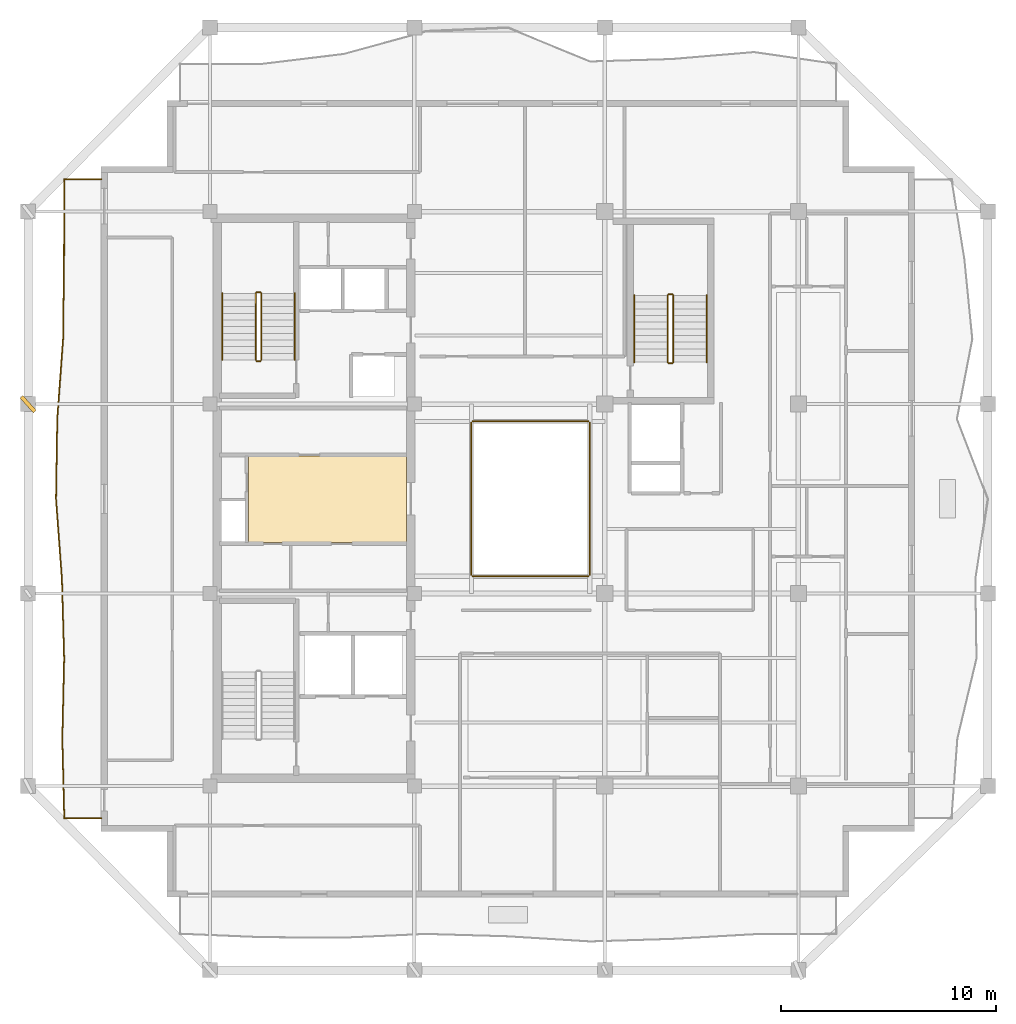
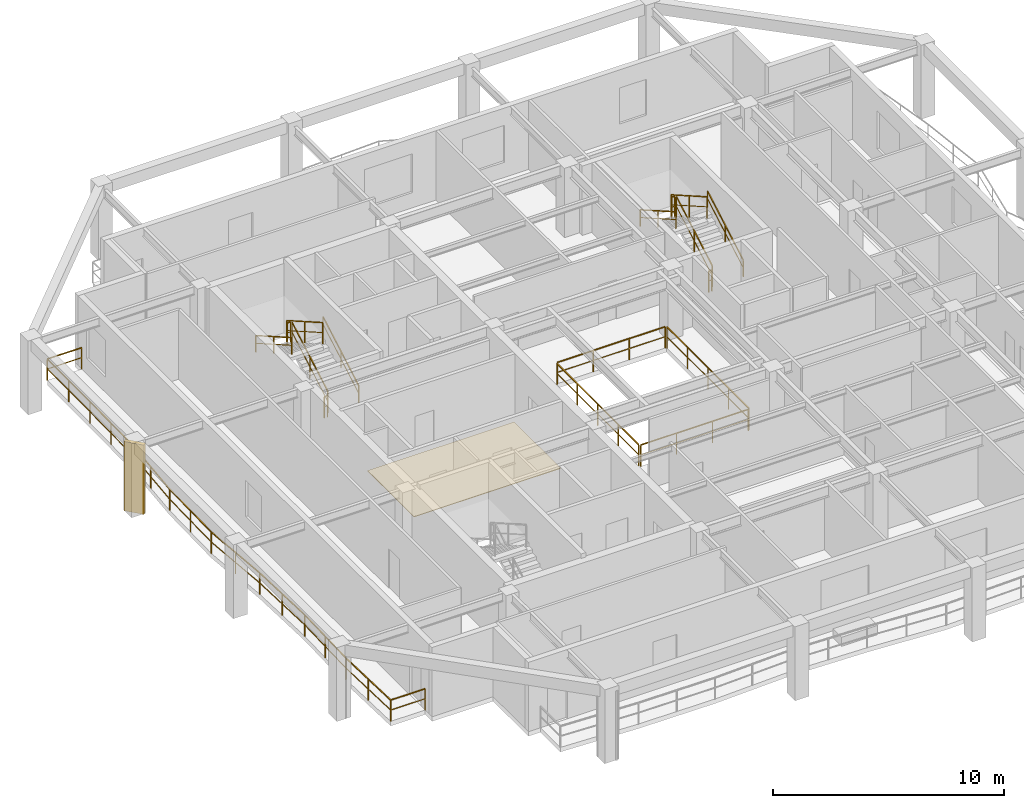
# One storey, part 8 of 10: 17 railings, 1 covering, 1 shading device.
"""IFC4 building model written with IfcOpenShell, lengths in metres."""

from ifc_helpers import new_model, si_unit, direction, frame, origin, origin_2d, place, context, subcontext, project, spatial, polyline, rectangle, outline, extrude, material, layer, layer_set, type_object, element, save


model = new_model("IFC4")

# Units and contexts
model_context = context("Model", 3, precision=1e-05, world=origin(), true_north=direction((0.0, 1.0)))
body_context = subcontext(model_context, "Body", "Model", "MODEL_VIEW")
ifc_project = project(units=[si_unit("LENGTHUNIT", "METRE"), si_unit("AREAUNIT", "SQUARE_METRE"), si_unit("VOLUMEUNIT", "CUBIC_METRE"), si_unit("PLANEANGLEUNIT", "RADIAN"), si_unit("MASSUNIT", "GRAM", prefix="KILO")], contexts=[model_context])

# Site, building, storey
site_placement = place(None, origin())
site = spatial("IfcSite", under=ifc_project, at=site_placement, CompositionType="ELEMENT")
building_placement = place(site_placement, origin())
building = spatial("IfcBuilding", under=site, at=building_placement, Name="Kundavana Baori Tower", CompositionType="ELEMENT")
storey_placement = place(building_placement, frame((0.0, 0.0, 299.89990234375)))
storey = spatial("IfcBuildingStorey", under=building, at=storey_placement, Name="L74", CompositionType="ELEMENT", Elevation=299.89990234375)

# Covering
ifc_material_1 = material(Name="Honed Kota Stone and Terrazzo Flooring", Category="masonry")
ifc_layer = layer(ifc_material_1, 0.030029296875, Name="COV-INT-FLR")
ifc_layer_set = layer_set([ifc_layer], Name="Honed Kota Stone and Terrazzo Flooring")
covering_type = type_object("IfcCoveringType", Name="COV-INT-FLR", PredefinedType="FLOORING", material=ifc_layer_set)
covering_placement = place(storey_placement, origin())
element("IfcCovering", 1, at=covering_placement, inside=storey, type_object=covering_type, Name="L74 Core Lift Lobby Kota Stone Flooring", PredefinedType="FLOORING", context=body_context, shape_type="SweptSolid", body=[
    extrude(outline(polyline([(17.25, 26.580078125), (24.580078125, 26.580078125), (24.580078125, 30.60009765625), (17.25, 30.60009765625), (17.25, 26.580078125)])), origin(), (0.0, 0.0, 1.0), 0.030029296875),
])

# Railings
ifc_material_2 = material(Name="Architectural Patinated Bronze Metalwork")
railing_type_1 = type_object("IfcRailingType", Name="RL-BAL-1150", PredefinedType="BALUSTRADE", material=ifc_material_2)
railing_1_placement = place(storey_placement, frame((10.39990234375, 13.75, 0.0)))
element("IfcRailing", 2, at=railing_1_placement, inside=storey, type_object=railing_type_1, Name="L74 Loggia Balcony Balustrade W", PredefinedType="BALUSTRADE", context=body_context, shape_type="SweptSolid", body=[
    extrude(rectangle(XDim=0.048095703125, YDim=0.048095703125, at=origin_2d()), frame((0.0, 0.0, 1.1259765625), z_axis=(-1.0, 0.0, 0.0), x_axis=(0.0, -1.0, 0.0)), (0.0, 0.0, 1.0), 1.719970703125),
    extrude(rectangle(XDim=0.03125, YDim=0.03125, at=origin_2d()), frame((0.0, 0.0, 0.597900390625), z_axis=(-1.0, 0.0, 0.0), x_axis=(0.0, -1.0, 0.0)), (0.0, 0.0, 1.0), 1.719970703125),
    extrude(rectangle(XDim=0.048095703125, YDim=0.048095703125, at=origin_2d()), frame((-1.719970703125, 0.0, 1.1259765625), z_axis=(-0.024788486897, 0.999692718248, 0.0), x_axis=(-0.999692718248, -0.024788486897, 0.0)), (0.0, 0.0, 1.0), 3.713134765625),
    extrude(rectangle(XDim=0.03125, YDim=0.03125, at=origin_2d()), frame((-1.719970703125, 0.0, 0.597900390625), z_axis=(-0.024788486897, 0.999692718248, 0.0), x_axis=(-0.999692718248, -0.024788486897, 0.0)), (0.0, 0.0, 1.0), 3.713134765625),
    extrude(rectangle(XDim=0.048095703125, YDim=0.048095703125, at=origin_2d()), frame((-1.81201171875, 3.7119140625, 1.1259765625), z_axis=(0.023203692393, 0.999730758084, 0.0), x_axis=(-0.999730758084, 0.023203692393, 0.0)), (0.0, 0.0, 1.0), 3.714111328125),
    extrude(rectangle(XDim=0.03125, YDim=0.03125, at=origin_2d()), frame((-1.81201171875, 3.7119140625, 0.597900390625), z_axis=(0.023203692393, 0.999730758084, 0.0), x_axis=(-0.999730758084, 0.023203692393, 0.0)), (0.0, 0.0, 1.0), 3.714111328125),
    extrude(rectangle(XDim=0.048095703125, YDim=0.048095703125, at=origin_2d()), frame((-1.725830078125, 7.425048828125, 1.1259765625), z_axis=(-0.028000589704, 0.99960790662, 0.0), x_axis=(-0.99960790662, -0.028000589704, 0.0)), (0.0, 0.0, 1.0), 3.71435546875),
    extrude(rectangle(XDim=0.03125, YDim=0.03125, at=origin_2d()), frame((-1.725830078125, 7.425048828125, 0.597900390625), z_axis=(-0.028000589704, 0.99960790662, 0.0), x_axis=(-0.99960790662, -0.028000589704, 0.0)), (0.0, 0.0, 1.0), 3.71435546875),
    extrude(rectangle(XDim=0.048095703125, YDim=0.048095703125, at=origin_2d()), frame((-1.829833984375, 11.137939453125, 1.1259765625), z_axis=(-0.073656662205, 0.997283658802, 0.0), x_axis=(-0.997283658802, -0.073656662205, 0.0)), (0.0, 0.0, 1.0), 3.72216796875),
    extrude(rectangle(XDim=0.03125, YDim=0.03125, at=origin_2d()), frame((-1.829833984375, 11.137939453125, 0.597900390625), z_axis=(-0.073656662205, 0.997283658802, 0.0), x_axis=(-0.997283658802, -0.073656662205, 0.0)), (0.0, 0.0, 1.0), 3.72216796875),
    extrude(rectangle(XDim=0.048095703125, YDim=0.048095703125, at=origin_2d()), frame((-2.10400390625, 14.85009765625, 1.1259765625), z_axis=(0.015914848125, 0.999873350785, 0.0), x_axis=(-0.999873350785, 0.015914848125, 0.0)), (0.0, 0.0, 1.0), 3.71240234375),
    extrude(rectangle(XDim=0.03125, YDim=0.03125, at=origin_2d()), frame((-2.10400390625, 14.85009765625, 0.597900390625), z_axis=(0.015914848125, 0.999873350785, 0.0), x_axis=(-0.999873350785, 0.015914848125, 0.0)), (0.0, 0.0, 1.0), 3.71240234375),
    extrude(rectangle(XDim=0.048095703125, YDim=0.048095703125, at=origin_2d()), frame((-2.044921875, 18.56201171875, 1.1259765625), z_axis=(0.072533323538, 0.997365989483, 0.0), x_axis=(-0.997365989483, 0.072533323538, 0.0)), (0.0, 0.0, 1.0), 3.72265625),
    extrude(rectangle(XDim=0.03125, YDim=0.03125, at=origin_2d()), frame((-2.044921875, 18.56201171875, 0.597900390625), z_axis=(0.072533323538, 0.997365989483, 0.0), x_axis=(-0.997365989483, 0.072533323538, 0.0)), (0.0, 0.0, 1.0), 3.72265625),
    extrude(rectangle(XDim=0.048095703125, YDim=0.048095703125, at=origin_2d()), frame((-1.77490234375, 22.27490234375, 1.1259765625), z_axis=(0.011834268858, 0.999929972588, 0.0), x_axis=(-0.999929972588, 0.011834268858, 0.0)), (0.0, 0.0, 1.0), 3.71337890625),
    extrude(rectangle(XDim=0.03125, YDim=0.03125, at=origin_2d()), frame((-1.77490234375, 22.27490234375, 0.597900390625), z_axis=(0.011834268858, 0.999929972588, 0.0), x_axis=(-0.999929972588, 0.011834268858, 0.0)), (0.0, 0.0, 1.0), 3.71337890625),
    extrude(rectangle(XDim=0.048095703125, YDim=0.048095703125, at=origin_2d()), frame((-1.73095703125, 25.988037109375, 1.1259765625), z_axis=(0.002959734471, 0.999995619976, 0.0), x_axis=(-0.999995619976, 0.002959734471, 0.0)), (0.0, 0.0, 1.0), 3.7119140625),
    extrude(rectangle(XDim=0.03125, YDim=0.03125, at=origin_2d()), frame((-1.73095703125, 25.988037109375, 0.597900390625), z_axis=(0.002959734471, 0.999995619976, 0.0), x_axis=(-0.999995619976, 0.002959734471, 0.0)), (0.0, 0.0, 1.0), 3.7119140625),
    extrude(rectangle(XDim=0.048095703125, YDim=0.048095703125, at=origin_2d()), frame((-1.719970703125, 29.699951171875, 1.1259765625), z_axis=(1.0, 0.0, 0.0), x_axis=(0.0, 1.0, 0.0)), (0.0, 0.0, 1.0), 1.719970703125),
    extrude(rectangle(XDim=0.03125, YDim=0.03125, at=origin_2d()), frame((-1.719970703125, 29.699951171875, 0.597900390625), z_axis=(1.0, 0.0, 0.0), x_axis=(0.0, 1.0, 0.0)), (0.0, 0.0, 1.0), 1.719970703125),
    extrude(rectangle(XDim=0.0419921875, YDim=0.0419921875, at=origin_2d()), origin(), (0.0, 0.0, 1.0), 1.101806640625),
    extrude(rectangle(XDim=0.0419921875, YDim=0.0419921875, at=origin_2d()), frame((-1.719970703125, 0.0, 0.0)), (0.0, 0.0, 1.0), 1.101806640625),
    extrude(rectangle(XDim=0.0419921875, YDim=0.0419921875, at=origin_2d()), frame((-1.76611328125, 1.85595703125, 0.0)), (0.0, 0.0, 1.0), 1.101806640625),
    extrude(rectangle(XDim=0.0419921875, YDim=0.0419921875, at=origin_2d()), frame((-1.81201171875, 3.7119140625, 0.0)), (0.0, 0.0, 1.0), 1.101806640625),
    extrude(rectangle(XDim=0.0419921875, YDim=0.0419921875, at=origin_2d()), frame((-1.76904296875, 5.568359375, 0.0)), (0.0, 0.0, 1.0), 1.101806640625),
    extrude(rectangle(XDim=0.0419921875, YDim=0.0419921875, at=origin_2d()), frame((-1.725830078125, 7.425048828125, 0.0)), (0.0, 0.0, 1.0), 1.101806640625),
    extrude(rectangle(XDim=0.0419921875, YDim=0.0419921875, at=origin_2d()), frame((-1.77783203125, 9.281494140625, 0.0)), (0.0, 0.0, 1.0), 1.101806640625),
    extrude(rectangle(XDim=0.0419921875, YDim=0.0419921875, at=origin_2d()), frame((-1.829833984375, 11.137939453125, 0.0)), (0.0, 0.0, 1.0), 1.101806640625),
    extrude(rectangle(XDim=0.0419921875, YDim=0.0419921875, at=origin_2d()), frame((-1.966796875, 12.994140625, 0.0)), (0.0, 0.0, 1.0), 1.101806640625),
    extrude(rectangle(XDim=0.0419921875, YDim=0.0419921875, at=origin_2d()), frame((-2.10400390625, 14.85009765625, 0.0)), (0.0, 0.0, 1.0), 1.101806640625),
    extrude(rectangle(XDim=0.0419921875, YDim=0.0419921875, at=origin_2d()), frame((-2.074462890625, 16.7060546875, 0.0)), (0.0, 0.0, 1.0), 1.101806640625),
    extrude(rectangle(XDim=0.0419921875, YDim=0.0419921875, at=origin_2d()), frame((-2.044921875, 18.56201171875, 0.0)), (0.0, 0.0, 1.0), 1.101806640625),
    extrude(rectangle(XDim=0.0419921875, YDim=0.0419921875, at=origin_2d()), frame((-1.909912109375, 20.41845703125, 0.0)), (0.0, 0.0, 1.0), 1.101806640625),
    extrude(rectangle(XDim=0.0419921875, YDim=0.0419921875, at=origin_2d()), frame((-1.77490234375, 22.27490234375, 0.0)), (0.0, 0.0, 1.0), 1.101806640625),
    extrude(rectangle(XDim=0.0419921875, YDim=0.0419921875, at=origin_2d()), frame((-1.7529296875, 24.13134765625, 0.0)), (0.0, 0.0, 1.0), 1.101806640625),
    extrude(rectangle(XDim=0.0419921875, YDim=0.0419921875, at=origin_2d()), frame((-1.73095703125, 25.988037109375, 0.0)), (0.0, 0.0, 1.0), 1.101806640625),
    extrude(rectangle(XDim=0.0419921875, YDim=0.0419921875, at=origin_2d()), frame((-1.7255859375, 27.843994140625, 0.0)), (0.0, 0.0, 1.0), 1.101806640625),
    extrude(rectangle(XDim=0.0419921875, YDim=0.0419921875, at=origin_2d()), frame((-1.719970703125, 29.699951171875, 0.0)), (0.0, 0.0, 1.0), 1.101806640625),
    extrude(rectangle(XDim=0.0419921875, YDim=0.0419921875, at=origin_2d()), frame((0.0, 29.699951171875, 0.0)), (0.0, 0.0, 1.0), 1.101806640625),
])
ifc_material_3 = material(Name="Architectural Patinated Bronze Metalwork")
railing_type_2 = type_object("IfcRailingType", Name="RL-GRD-1150", PredefinedType="GUARDRAIL", material=ifc_material_3)
railing_2_placement = place(storey_placement, frame((17.840087890625, 35.050048828125, 0.177490234375)))
element("IfcRailing", 3, at=railing_2_placement, inside=storey, type_object=railing_type_2, Name="L74 ST2 stair guard 1", PredefinedType="GUARDRAIL", context=body_context, shape_type="SweptSolid", body=[
    extrude(rectangle(XDim=0.048095703125, YDim=0.048095703125, at=origin_2d()), frame((0.0, 0.0, 1.1259765625), z_axis=(0.0, 0.868079009454, 0.496426060301), x_axis=(-1.0, 0.0, 0.0)), (0.0, 0.0, 1.0), 3.571044921875),
    extrude(rectangle(XDim=0.03125, YDim=0.03125, at=origin_2d()), frame((0.0, 0.0, 0.597900390625), z_axis=(0.0, 0.868079009454, 0.496426060301), x_axis=(-1.0, 0.0, 0.0)), (0.0, 0.0, 1.0), 3.571044921875),
    extrude(rectangle(XDim=0.0419921875, YDim=0.0419921875, at=origin_2d()), origin(), (0.0, 0.0, 1.0), 1.101806640625),
    extrude(rectangle(XDim=0.0419921875, YDim=0.0419921875, at=origin_2d()), frame((0.0, 1.5498046875, 0.88623046875)), (0.0, 0.0, 1.0), 1.101806640625),
    extrude(rectangle(XDim=0.0419921875, YDim=0.0419921875, at=origin_2d()), frame((0.0, 3.099853515625, 1.772705078125)), (0.0, 0.0, 1.0), 1.101806640625),
])
railing_3_placement = place(storey_placement, frame((17.7900390625, 38.199951171875, 1.9501953125)))
element("IfcRailing", 4, at=railing_3_placement, inside=storey, type_object=railing_type_2, Name="L74 ST2 stair guard 2", PredefinedType="GUARDRAIL", context=body_context, shape_type="SweptSolid", body=[
    extrude(rectangle(XDim=0.048095703125, YDim=0.048095703125, at=origin_2d()), frame((0.0, 0.0, 1.1259765625), z_axis=(-1.0, 0.0, 0.0), x_axis=(0.0, -1.0, 0.0)), (0.0, 0.0, 1.0), 0.16015625),
    extrude(rectangle(XDim=0.03125, YDim=0.03125, at=origin_2d()), frame((0.0, 0.0, 0.597900390625), z_axis=(-1.0, 0.0, 0.0), x_axis=(0.0, -1.0, 0.0)), (0.0, 0.0, 1.0), 0.16015625),
    extrude(rectangle(XDim=0.0419921875, YDim=0.0419921875, at=origin_2d()), origin(), (0.0, 0.0, 1.0), 1.101806640625),
    extrude(rectangle(XDim=0.0419921875, YDim=0.0419921875, at=origin_2d()), frame((-0.16015625, 0.0, 0.0)), (0.0, 0.0, 1.0), 1.101806640625),
])
railing_4_placement = place(storey_placement, frame((17.580078125, 38.14990234375, 2.12744140625)))
element("IfcRailing", 5, at=railing_4_placement, inside=storey, type_object=railing_type_2, Name="L74 ST2 stair guard 3", PredefinedType="GUARDRAIL", context=body_context, shape_type="SweptSolid", body=[
    extrude(rectangle(XDim=0.048095703125, YDim=0.048095703125, at=origin_2d()), frame((0.0, 0.0, 1.1259765625), z_axis=(0.0, -0.868079009454, 0.496426060301), x_axis=(1.0, 0.0, 0.0)), (0.0, 0.0, 1.0), 3.571044921875),
    extrude(rectangle(XDim=0.03125, YDim=0.03125, at=origin_2d()), frame((0.0, 0.0, 0.597900390625), z_axis=(0.0, -0.868079009454, 0.496426060301), x_axis=(1.0, 0.0, 0.0)), (0.0, 0.0, 1.0), 3.571044921875),
    extrude(rectangle(XDim=0.0419921875, YDim=0.0419921875, at=origin_2d()), origin(), (0.0, 0.0, 1.0), 1.101806640625),
    extrude(rectangle(XDim=0.0419921875, YDim=0.0419921875, at=origin_2d()), frame((0.0, -1.5498046875, 0.88623046875)), (0.0, 0.0, 1.0), 1.101806640625),
    extrude(rectangle(XDim=0.0419921875, YDim=0.0419921875, at=origin_2d()), frame((0.0, -3.099853515625, 1.772705078125)), (0.0, 0.0, 1.0), 1.101806640625),
])
railing_5_placement = place(storey_placement, frame((17.7900390625, 35.0, 0.0)))
element("IfcRailing", 6, at=railing_5_placement, inside=storey, type_object=railing_type_2, Name="L74 ST2 stair guard 4", PredefinedType="GUARDRAIL", context=body_context, shape_type="SweptSolid", body=[
    extrude(rectangle(XDim=0.048095703125, YDim=0.048095703125, at=origin_2d()), frame((0.0, 0.0, 1.1259765625), z_axis=(-1.0, 0.0, 0.0), x_axis=(0.0, -1.0, 0.0)), (0.0, 0.0, 1.0), 0.16015625),
    extrude(rectangle(XDim=0.03125, YDim=0.03125, at=origin_2d()), frame((0.0, 0.0, 0.597900390625), z_axis=(-1.0, 0.0, 0.0), x_axis=(0.0, -1.0, 0.0)), (0.0, 0.0, 1.0), 0.16015625),
    extrude(rectangle(XDim=0.0419921875, YDim=0.0419921875, at=origin_2d()), origin(), (0.0, 0.0, 1.0), 1.101806640625),
    extrude(rectangle(XDim=0.0419921875, YDim=0.0419921875, at=origin_2d()), frame((-0.16015625, 0.0, 0.0)), (0.0, 0.0, 1.0), 1.101806640625),
])
railing_6_placement = place(storey_placement, frame((36.97998046875, 34.949951171875, 0.177490234375)))
element("IfcRailing", 7, at=railing_6_placement, inside=storey, type_object=railing_type_2, Name="L74 ST3 stair guard 1", PredefinedType="GUARDRAIL", context=body_context, shape_type="SweptSolid", body=[
    extrude(rectangle(XDim=0.048095703125, YDim=0.048095703125, at=origin_2d()), frame((0.0, 0.0, 1.1259765625), z_axis=(0.0, 0.868095856688, 0.496396599103), x_axis=(-1.0, 0.0, 0.0)), (0.0, 0.0, 1.0), 3.571044921875),
    extrude(rectangle(XDim=0.03125, YDim=0.03125, at=origin_2d()), frame((0.0, 0.0, 0.597900390625), z_axis=(0.0, 0.868095856688, 0.496396599103), x_axis=(-1.0, 0.0, 0.0)), (0.0, 0.0, 1.0), 3.571044921875),
    extrude(rectangle(XDim=0.0419921875, YDim=0.0419921875, at=origin_2d()), origin(), (0.0, 0.0, 1.0), 1.101806640625),
    extrude(rectangle(XDim=0.0419921875, YDim=0.0419921875, at=origin_2d()), frame((0.0, 1.550048828125, 0.88623046875)), (0.0, 0.0, 1.0), 1.101806640625),
    extrude(rectangle(XDim=0.0419921875, YDim=0.0419921875, at=origin_2d()), frame((0.0, 3.10009765625, 1.772705078125)), (0.0, 0.0, 1.0), 1.101806640625),
])
railing_7_placement = place(storey_placement, frame((36.929931640625, 38.10009765625, 1.9501953125)))
element("IfcRailing", 8, at=railing_7_placement, inside=storey, type_object=railing_type_2, Name="L74 ST3 stair guard 2", PredefinedType="GUARDRAIL", context=body_context, shape_type="SweptSolid", body=[
    extrude(rectangle(XDim=0.048095703125, YDim=0.048095703125, at=origin_2d()), frame((0.0, 0.0, 1.1259765625), z_axis=(-1.0, 0.0, 0.0), x_axis=(0.0, -1.0, 0.0)), (0.0, 0.0, 1.0), 0.159912109375),
    extrude(rectangle(XDim=0.03125, YDim=0.03125, at=origin_2d()), frame((0.0, 0.0, 0.597900390625), z_axis=(-1.0, 0.0, 0.0), x_axis=(0.0, -1.0, 0.0)), (0.0, 0.0, 1.0), 0.159912109375),
    extrude(rectangle(XDim=0.0419921875, YDim=0.0419921875, at=origin_2d()), origin(), (0.0, 0.0, 1.0), 1.101806640625),
    extrude(rectangle(XDim=0.0419921875, YDim=0.0419921875, at=origin_2d()), frame((-0.159912109375, 0.0, 0.0)), (0.0, 0.0, 1.0), 1.101806640625),
])
railing_8_placement = place(storey_placement, frame((36.719970703125, 38.050048828125, 2.12744140625)))
element("IfcRailing", 9, at=railing_8_placement, inside=storey, type_object=railing_type_2, Name="L74 ST3 stair guard 3", PredefinedType="GUARDRAIL", context=body_context, shape_type="SweptSolid", body=[
    extrude(rectangle(XDim=0.048095703125, YDim=0.048095703125, at=origin_2d()), frame((0.0, 0.0, 1.1259765625), z_axis=(0.0, -0.868095856688, 0.496396599103), x_axis=(1.0, 0.0, 0.0)), (0.0, 0.0, 1.0), 3.571044921875),
    extrude(rectangle(XDim=0.03125, YDim=0.03125, at=origin_2d()), frame((0.0, 0.0, 0.597900390625), z_axis=(0.0, -0.868095856688, 0.496396599103), x_axis=(1.0, 0.0, 0.0)), (0.0, 0.0, 1.0), 3.571044921875),
    extrude(rectangle(XDim=0.0419921875, YDim=0.0419921875, at=origin_2d()), origin(), (0.0, 0.0, 1.0), 1.101806640625),
    extrude(rectangle(XDim=0.0419921875, YDim=0.0419921875, at=origin_2d()), frame((0.0, -1.550048828125, 0.88623046875)), (0.0, 0.0, 1.0), 1.101806640625),
    extrude(rectangle(XDim=0.0419921875, YDim=0.0419921875, at=origin_2d()), frame((0.0, -3.10009765625, 1.772705078125)), (0.0, 0.0, 1.0), 1.101806640625),
])
railing_9_placement = place(storey_placement, frame((36.929931640625, 34.89990234375, 0.0)))
element("IfcRailing", 10, at=railing_9_placement, inside=storey, type_object=railing_type_2, Name="L74 ST3 stair guard 4", PredefinedType="GUARDRAIL", context=body_context, shape_type="SweptSolid", body=[
    extrude(rectangle(XDim=0.048095703125, YDim=0.048095703125, at=origin_2d()), frame((0.0, 0.0, 1.1259765625), z_axis=(-1.0, 0.0, 0.0), x_axis=(0.0, -1.0, 0.0)), (0.0, 0.0, 1.0), 0.159912109375),
    extrude(rectangle(XDim=0.03125, YDim=0.03125, at=origin_2d()), frame((0.0, 0.0, 0.597900390625), z_axis=(-1.0, 0.0, 0.0), x_axis=(0.0, -1.0, 0.0)), (0.0, 0.0, 1.0), 0.159912109375),
    extrude(rectangle(XDim=0.0419921875, YDim=0.0419921875, at=origin_2d()), origin(), (0.0, 0.0, 1.0), 1.101806640625),
    extrude(rectangle(XDim=0.0419921875, YDim=0.0419921875, at=origin_2d()), frame((-0.159912109375, 0.0, 0.0)), (0.0, 0.0, 1.0), 1.101806640625),
])
railing_10_placement = place(storey_placement, frame((27.659912109375, 25.0, 0.0)))
element("IfcRailing", 11, at=railing_10_placement, inside=storey, type_object=railing_type_2, Name="L74 Atrium Void Perimeter Guardrail S", PredefinedType="GUARDRAIL", context=body_context, shape_type="SweptSolid", body=[
    extrude(rectangle(XDim=0.048095703125, YDim=0.048095703125, at=origin_2d()), frame((0.0, 0.0, 1.1259765625), z_axis=(1.0, 0.0, 0.0), x_axis=(0.0, 1.0, 0.0)), (0.0, 0.0, 1.0), 5.380126953125),
    extrude(rectangle(XDim=0.03125, YDim=0.03125, at=origin_2d()), frame((0.0, 0.0, 0.597900390625), z_axis=(1.0, 0.0, 0.0), x_axis=(0.0, 1.0, 0.0)), (0.0, 0.0, 1.0), 5.380126953125),
    extrude(rectangle(XDim=0.0419921875, YDim=0.0419921875, at=origin_2d()), origin(), (0.0, 0.0, 1.0), 1.101806640625),
    extrude(rectangle(XDim=0.0419921875, YDim=0.0419921875, at=origin_2d()), frame((1.79345703125, 0.0, 0.0)), (0.0, 0.0, 1.0), 1.101806640625),
    extrude(rectangle(XDim=0.0419921875, YDim=0.0419921875, at=origin_2d()), frame((3.586669921875, 0.0, 0.0)), (0.0, 0.0, 1.0), 1.101806640625),
    extrude(rectangle(XDim=0.0419921875, YDim=0.0419921875, at=origin_2d()), frame((5.380126953125, 0.0, 0.0)), (0.0, 0.0, 1.0), 1.101806640625),
])
railing_11_placement = place(storey_placement, frame((33.10009765625, 25.06005859375, 0.0)))
element("IfcRailing", 12, at=railing_11_placement, inside=storey, type_object=railing_type_2, Name="L74 Atrium Void Perimeter Guardrail E", PredefinedType="GUARDRAIL", context=body_context, shape_type="SweptSolid", body=[
    extrude(rectangle(XDim=0.048095703125, YDim=0.048095703125, at=origin_2d()), frame((0.0, 0.0, 1.1259765625), z_axis=(0.0, 1.0, 0.0), x_axis=(-1.0, 0.0, 0.0)), (0.0, 0.0, 1.0), 7.079833984375),
    extrude(rectangle(XDim=0.03125, YDim=0.03125, at=origin_2d()), frame((0.0, 0.0, 0.597900390625), z_axis=(0.0, 1.0, 0.0), x_axis=(-1.0, 0.0, 0.0)), (0.0, 0.0, 1.0), 7.079833984375),
    extrude(rectangle(XDim=0.0419921875, YDim=0.0419921875, at=origin_2d()), origin(), (0.0, 0.0, 1.0), 1.101806640625),
    extrude(rectangle(XDim=0.0419921875, YDim=0.0419921875, at=origin_2d()), frame((0.0, 1.77001953125, 0.0)), (0.0, 0.0, 1.0), 1.101806640625),
    extrude(rectangle(XDim=0.0419921875, YDim=0.0419921875, at=origin_2d()), frame((0.0, 3.5400390625, 0.0)), (0.0, 0.0, 1.0), 1.101806640625),
    extrude(rectangle(XDim=0.0419921875, YDim=0.0419921875, at=origin_2d()), frame((0.0, 5.309814453125, 0.0)), (0.0, 0.0, 1.0), 1.101806640625),
    extrude(rectangle(XDim=0.0419921875, YDim=0.0419921875, at=origin_2d()), frame((0.0, 7.079833984375, 0.0)), (0.0, 0.0, 1.0), 1.101806640625),
])
railing_12_placement = place(storey_placement, frame((33.0400390625, 32.199951171875, 0.0)))
element("IfcRailing", 13, at=railing_12_placement, inside=storey, type_object=railing_type_2, Name="L74 Atrium Void Perimeter Guardrail N", PredefinedType="GUARDRAIL", context=body_context, shape_type="SweptSolid", body=[
    extrude(rectangle(XDim=0.048095703125, YDim=0.048095703125, at=origin_2d()), frame((0.0, 0.0, 1.1259765625), z_axis=(-1.0, 0.0, 0.0), x_axis=(0.0, -1.0, 0.0)), (0.0, 0.0, 1.0), 5.380126953125),
    extrude(rectangle(XDim=0.03125, YDim=0.03125, at=origin_2d()), frame((0.0, 0.0, 0.597900390625), z_axis=(-1.0, 0.0, 0.0), x_axis=(0.0, -1.0, 0.0)), (0.0, 0.0, 1.0), 5.380126953125),
    extrude(rectangle(XDim=0.0419921875, YDim=0.0419921875, at=origin_2d()), origin(), (0.0, 0.0, 1.0), 1.101806640625),
    extrude(rectangle(XDim=0.0419921875, YDim=0.0419921875, at=origin_2d()), frame((-1.79345703125, 0.0, 0.0)), (0.0, 0.0, 1.0), 1.101806640625),
    extrude(rectangle(XDim=0.0419921875, YDim=0.0419921875, at=origin_2d()), frame((-3.586669921875, 0.0, 0.0)), (0.0, 0.0, 1.0), 1.101806640625),
    extrude(rectangle(XDim=0.0419921875, YDim=0.0419921875, at=origin_2d()), frame((-5.380126953125, 0.0, 0.0)), (0.0, 0.0, 1.0), 1.101806640625),
])
railing_13_placement = place(storey_placement, frame((27.60009765625, 32.139892578125, 0.0)))
element("IfcRailing", 14, at=railing_13_placement, inside=storey, type_object=railing_type_2, Name="L74 Atrium Void Perimeter Guardrail W", PredefinedType="GUARDRAIL", context=body_context, shape_type="SweptSolid", body=[
    extrude(rectangle(XDim=0.048095703125, YDim=0.048095703125, at=origin_2d()), frame((0.0, 0.0, 1.1259765625), z_axis=(0.0, -1.0, 0.0), x_axis=(1.0, 0.0, 0.0)), (0.0, 0.0, 1.0), 7.079833984375),
    extrude(rectangle(XDim=0.03125, YDim=0.03125, at=origin_2d()), frame((0.0, 0.0, 0.597900390625), z_axis=(0.0, -1.0, 0.0), x_axis=(1.0, 0.0, 0.0)), (0.0, 0.0, 1.0), 7.079833984375),
    extrude(rectangle(XDim=0.0419921875, YDim=0.0419921875, at=origin_2d()), origin(), (0.0, 0.0, 1.0), 1.101806640625),
    extrude(rectangle(XDim=0.0419921875, YDim=0.0419921875, at=origin_2d()), frame((0.0, -1.77001953125, 0.0)), (0.0, 0.0, 1.0), 1.101806640625),
    extrude(rectangle(XDim=0.0419921875, YDim=0.0419921875, at=origin_2d()), frame((0.0, -3.5400390625, 0.0)), (0.0, 0.0, 1.0), 1.101806640625),
    extrude(rectangle(XDim=0.0419921875, YDim=0.0419921875, at=origin_2d()), frame((0.0, -5.309814453125, 0.0)), (0.0, 0.0, 1.0), 1.101806640625),
    extrude(rectangle(XDim=0.0419921875, YDim=0.0419921875, at=origin_2d()), frame((0.0, -7.079833984375, 0.0)), (0.0, 0.0, 1.0), 1.101806640625),
])
ifc_material_4 = material(Name="Architectural Patinated Bronze Metalwork")
railing_type_3 = type_object("IfcRailingType", Name="RL-HND-920", PredefinedType="HANDRAIL", material=ifc_material_4)
railing_14_placement = place(storey_placement, frame((19.389892578125, 35.050048828125, 0.177490234375)))
element("IfcRailing", 15, at=railing_14_placement, inside=storey, type_object=railing_type_3, Name="L74 ST2 stair handrail 1", PredefinedType="HANDRAIL", context=body_context, shape_type="SweptSolid", body=[
    extrude(rectangle(XDim=0.048095703125, YDim=0.048095703125, at=origin_2d()), frame((0.0, 0.0, 0.8759765625), z_axis=(0.0, 0.868079009454, 0.496426060301), x_axis=(-1.0, 0.0, 0.0)), (0.0, 0.0, 1.0), 3.571044921875),
    extrude(rectangle(XDim=0.03125, YDim=0.03125, at=origin_2d()), frame((0.0, 0.0, 0.468017578125), z_axis=(0.0, 0.868079009454, 0.496426060301), x_axis=(-1.0, 0.0, 0.0)), (0.0, 0.0, 1.0), 3.571044921875),
    extrude(rectangle(XDim=0.0419921875, YDim=0.0419921875, at=origin_2d()), origin(), (0.0, 0.0, 1.0), 0.851806640625),
    extrude(rectangle(XDim=0.0419921875, YDim=0.0419921875, at=origin_2d()), frame((0.0, 1.5498046875, 0.88623046875)), (0.0, 0.0, 1.0), 0.851806640625),
    extrude(rectangle(XDim=0.0419921875, YDim=0.0419921875, at=origin_2d()), frame((0.0, 3.099853515625, 1.772705078125)), (0.0, 0.0, 1.0), 0.851806640625),
])
railing_15_placement = place(storey_placement, frame((16.030029296875, 38.14990234375, 2.12744140625)))
element("IfcRailing", 16, at=railing_15_placement, inside=storey, type_object=railing_type_3, Name="L74 ST2 stair handrail 2", PredefinedType="HANDRAIL", context=body_context, shape_type="SweptSolid", body=[
    extrude(rectangle(XDim=0.048095703125, YDim=0.048095703125, at=origin_2d()), frame((0.0, 0.0, 0.8759765625), z_axis=(0.0, -0.868079009454, 0.496426060301), x_axis=(1.0, 0.0, 0.0)), (0.0, 0.0, 1.0), 3.571044921875),
    extrude(rectangle(XDim=0.03125, YDim=0.03125, at=origin_2d()), frame((0.0, 0.0, 0.468017578125), z_axis=(0.0, -0.868079009454, 0.496426060301), x_axis=(1.0, 0.0, 0.0)), (0.0, 0.0, 1.0), 3.571044921875),
    extrude(rectangle(XDim=0.0419921875, YDim=0.0419921875, at=origin_2d()), origin(), (0.0, 0.0, 1.0), 0.851806640625),
    extrude(rectangle(XDim=0.0419921875, YDim=0.0419921875, at=origin_2d()), frame((0.0, -1.5498046875, 0.88623046875)), (0.0, 0.0, 1.0), 0.851806640625),
    extrude(rectangle(XDim=0.0419921875, YDim=0.0419921875, at=origin_2d()), frame((0.0, -3.099853515625, 1.772705078125)), (0.0, 0.0, 1.0), 0.851806640625),
])
railing_16_placement = place(storey_placement, frame((38.530029296875, 34.949951171875, 0.177490234375)))
element("IfcRailing", 17, at=railing_16_placement, inside=storey, type_object=railing_type_3, Name="L74 ST3 stair handrail 1", PredefinedType="HANDRAIL", context=body_context, shape_type="SweptSolid", body=[
    extrude(rectangle(XDim=0.048095703125, YDim=0.048095703125, at=origin_2d()), frame((0.0, 0.0, 0.8759765625), z_axis=(0.0, 0.868095856688, 0.496396599103), x_axis=(-1.0, 0.0, 0.0)), (0.0, 0.0, 1.0), 3.571044921875),
    extrude(rectangle(XDim=0.03125, YDim=0.03125, at=origin_2d()), frame((0.0, 0.0, 0.468017578125), z_axis=(0.0, 0.868095856688, 0.496396599103), x_axis=(-1.0, 0.0, 0.0)), (0.0, 0.0, 1.0), 3.571044921875),
    extrude(rectangle(XDim=0.0419921875, YDim=0.0419921875, at=origin_2d()), origin(), (0.0, 0.0, 1.0), 0.851806640625),
    extrude(rectangle(XDim=0.0419921875, YDim=0.0419921875, at=origin_2d()), frame((0.0, 1.550048828125, 0.88623046875)), (0.0, 0.0, 1.0), 0.851806640625),
    extrude(rectangle(XDim=0.0419921875, YDim=0.0419921875, at=origin_2d()), frame((0.0, 3.10009765625, 1.772705078125)), (0.0, 0.0, 1.0), 0.851806640625),
])
railing_17_placement = place(storey_placement, frame((35.169921875, 38.050048828125, 2.12744140625)))
element("IfcRailing", 18, at=railing_17_placement, inside=storey, type_object=railing_type_3, Name="L74 ST3 stair handrail 2", PredefinedType="HANDRAIL", context=body_context, shape_type="SweptSolid", body=[
    extrude(rectangle(XDim=0.048095703125, YDim=0.048095703125, at=origin_2d()), frame((0.0, 0.0, 0.8759765625), z_axis=(0.0, -0.868095856688, 0.496396599103), x_axis=(1.0, 0.0, 0.0)), (0.0, 0.0, 1.0), 3.571044921875),
    extrude(rectangle(XDim=0.03125, YDim=0.03125, at=origin_2d()), frame((0.0, 0.0, 0.468017578125), z_axis=(0.0, -0.868095856688, 0.496396599103), x_axis=(1.0, 0.0, 0.0)), (0.0, 0.0, 1.0), 3.571044921875),
    extrude(rectangle(XDim=0.0419921875, YDim=0.0419921875, at=origin_2d()), origin(), (0.0, 0.0, 1.0), 0.851806640625),
    extrude(rectangle(XDim=0.0419921875, YDim=0.0419921875, at=origin_2d()), frame((0.0, -1.550048828125, 0.88623046875)), (0.0, 0.0, 1.0), 0.851806640625),
    extrude(rectangle(XDim=0.0419921875, YDim=0.0419921875, at=origin_2d()), frame((0.0, -3.10009765625, 1.772705078125)), (0.0, 0.0, 1.0), 0.851806640625),
])

# Shading device
ifc_material_5 = material(Name="Red-Buff Dholpur Sandstone Cladding on Concrete C40/50", Category="masonry")
shading_device_type = type_object("IfcShadingDeviceType", Name="SHD-FIN-920", PredefinedType="JALOUSIE", material=ifc_material_5)
shading_device_placement = place(storey_placement, frame((7.0, 33.0, 0.0), z_axis=(0.0, 0.0, 1.0), x_axis=(0.743611785628, 0.668611630377, 0.0)))
element("IfcShadingDevice", 19, at=shading_device_placement, inside=storey, type_object=shading_device_type, Name="L74 Sweeping Dholpur Sandstone Facade Fin 7", PredefinedType="JALOUSIE", context=body_context, shape_type="SweptSolid", body=[
    extrude(rectangle(XDim=0.179931640625, YDim=0.919921875, at=origin_2d()), origin(), (0.0, 0.0, 1.0), 3.659912109375),
])

save(model, "model.ifc")
